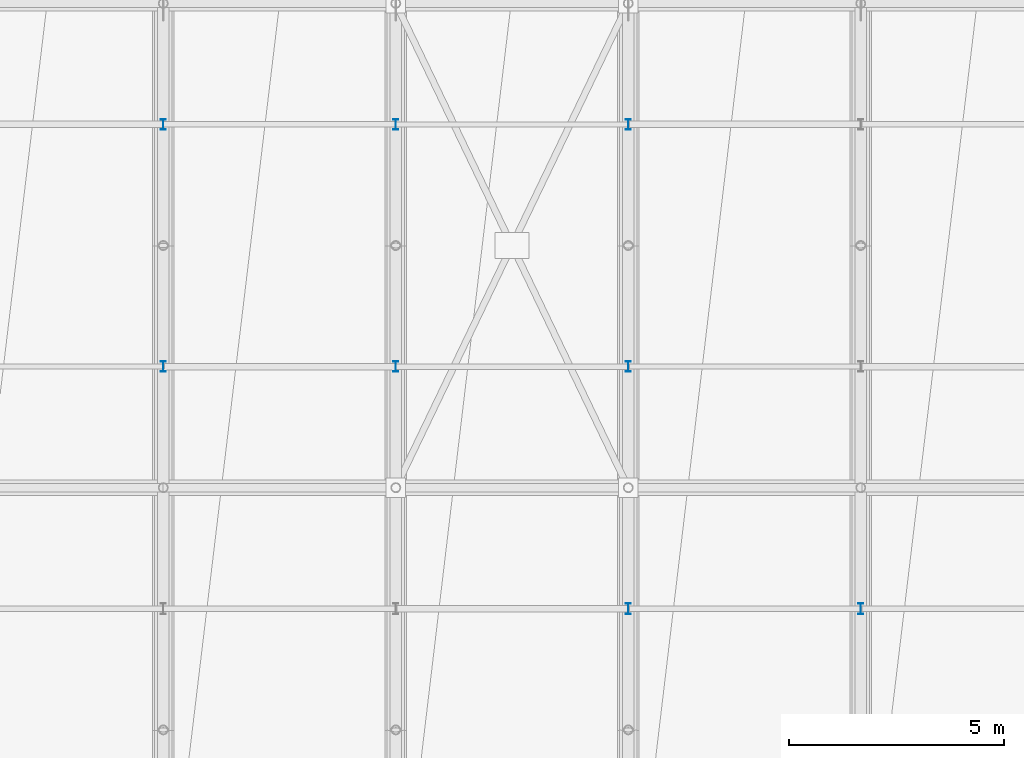
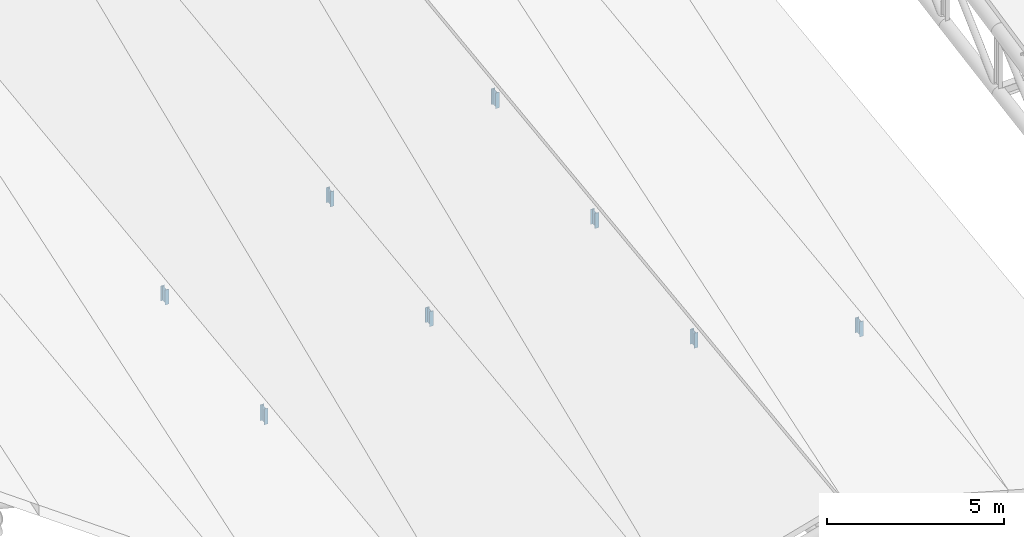
# One storey, part 79 of 109: 8 members.
"""IFC4 building model written with IfcOpenShell, lengths in metres."""

from ifc_helpers import new_model, si_unit, direction, frame, origin, origin_2d, place, context, subcontext, project, spatial, i_section, extrude, material, material_profile, profile_set, type_object, element, save


model = new_model("IFC4")

# Units and contexts
model_context = context("Model", 3, precision=1e-05, world=origin(), true_north=direction((0.0, 1.0)))
body_context = subcontext(model_context, "Body", "Model", "MODEL_VIEW")
ifc_project = project(units=[si_unit("LENGTHUNIT", "METRE"), si_unit("AREAUNIT", "SQUARE_METRE"), si_unit("VOLUMEUNIT", "CUBIC_METRE"), si_unit("PLANEANGLEUNIT", "RADIAN"), si_unit("MASSUNIT", "GRAM", prefix="KILO")], contexts=[model_context])

# Site, building, storey
site_placement = place(None, origin())
site = spatial("IfcSite", under=ifc_project, at=site_placement, CompositionType="ELEMENT")
building_placement = place(site_placement, origin())
building = spatial("IfcBuilding", under=site, at=building_placement, Name="Suirenkawa Promenade Aquatics Centre", CompositionType="ELEMENT")
storey_placement = place(building_placement, frame((0.0, 0.0, 22.800048828125)))
storey = spatial("IfcBuildingStorey", under=building, at=storey_placement, Name="ROOF", CompositionType="ELEMENT", Elevation=22.800048828125)

# Members
ifc_material = material(Name="Steel IS 2062 E350 (Grade 350)", Category="steel")
ifc_material_profile = material_profile(ifc_material, i_section(OverallWidth=0.125, OverallDepth=0.25, WebThickness=0.007080078125, FlangeThickness=0.012939453125, at=origin_2d()), Name="ISMB 250", Category="steel")
ifc_profile_set = profile_set([ifc_material_profile], Name="Steel IS 2062 E350 (Grade 350)")
member_type = type_object("IfcMemberType", Name="MT-WEB-CHS168", PredefinedType="BRACE", material=ifc_profile_set)
member_1_placement = place(storey_placement, frame((133.199951171875, 64.462890625, -13.406982421875), z_axis=(0.0, 0.0, 1.0), x_axis=(1.0, 0.0, 0.0)))
element("IfcMember", 1, at=member_1_placement, inside=storey, type_object=member_type, Name="ROOF TRUSS Purlin cleat post TD-03 MB-2234", PredefinedType="BRACE", context=body_context, shape_type="SweptSolid", body=[
    extrude(i_section(OverallWidth=0.125, OverallDepth=0.25, WebThickness=0.007080078125, FlangeThickness=0.012939453125, at=origin_2d()), origin(), (0.0, 0.0, 1.0), 0.5458984375),
])
for number, where, z_axis, x_axis, name in (
    (2, (133.199951171875, 70.087890625, -12.68212890625), (0.0, 0.0, 1.0), (1.0, 0.0, 0.0), "ROOF TRUSS Purlin cleat post TD-03 MB-2236"),
    (3, (138.60009765625, 64.462890625, -11.906982421875), (0.0, 0.0, 1.0), (1.0, 0.0, 0.0), "ROOF TRUSS Purlin cleat post TD-03 MB-2270"),
):
    element("IfcMember", number, at=place(storey_placement, frame(where, z_axis=z_axis, x_axis=x_axis)), inside=storey, type_object=member_type, Name=name, PredefinedType="BRACE", context=body_context, shape_type="SweptSolid", body=[
        extrude(i_section(OverallWidth=0.125, OverallDepth=0.25, WebThickness=0.007080078125, FlangeThickness=0.012939453125, at=origin_2d()), origin(), (0.0, 0.0, 1.0), 0.51904296875),
    ])
member_2_placement = place(storey_placement, frame((138.60009765625, 70.087890625, -11.18212890625), z_axis=(0.0, 0.0, 1.0), x_axis=(1.0, 0.0, 0.0)))
element("IfcMember", 4, at=member_2_placement, inside=storey, type_object=member_type, Name="ROOF TRUSS Purlin cleat post TD-03 MB-2272", PredefinedType="BRACE", context=body_context, shape_type="SweptSolid", body=[
    extrude(i_section(OverallWidth=0.125, OverallDepth=0.25, WebThickness=0.007080078125, FlangeThickness=0.012939453125, at=origin_2d()), origin(), (0.0, 0.0, 1.0), 0.52099609375),
])
member_3_placement = place(storey_placement, frame((144.0, 58.8369140625, -11.133056640625), z_axis=(0.0, 0.0, 1.0), x_axis=(1.0, 0.0, 0.0)))
element("IfcMember", 5, at=member_3_placement, inside=storey, type_object=member_type, Name="ROOF TRUSS Purlin cleat post TD-03 MB-2304", PredefinedType="BRACE", context=body_context, shape_type="SweptSolid", body=[
    extrude(i_section(OverallWidth=0.125, OverallDepth=0.25, WebThickness=0.007080078125, FlangeThickness=0.012939453125, at=origin_2d()), origin(), (0.0, 0.0, 1.0), 0.52001953125),
])
member_4_placement = place(storey_placement, frame((144.0, 64.462890625, -10.406982421875), z_axis=(0.0, 0.0, 1.0), x_axis=(1.0, 0.0, 0.0)))
element("IfcMember", 6, at=member_4_placement, inside=storey, type_object=member_type, Name="ROOF TRUSS Purlin cleat post TD-03 MB-2306", PredefinedType="BRACE", context=body_context, shape_type="SweptSolid", body=[
    extrude(i_section(OverallWidth=0.125, OverallDepth=0.25, WebThickness=0.007080078125, FlangeThickness=0.012939453125, at=origin_2d()), origin(), (0.0, 0.0, 1.0), 0.52099609375),
])
member_5_placement = place(storey_placement, frame((144.0, 70.087890625, -9.68212890625), z_axis=(0.0, 0.0, 1.0), x_axis=(1.0, 0.0, 0.0)))
element("IfcMember", 7, at=member_5_placement, inside=storey, type_object=member_type, Name="ROOF TRUSS Purlin cleat post TD-03 MB-2308", PredefinedType="BRACE", context=body_context, shape_type="SweptSolid", body=[
    extrude(i_section(OverallWidth=0.125, OverallDepth=0.25, WebThickness=0.007080078125, FlangeThickness=0.012939453125, at=origin_2d()), origin(), (0.0, 0.0, 1.0), 0.546142578125),
])
member_6_placement = place(storey_placement, frame((149.39990234375, 58.8369140625, -12.633056640625), z_axis=(0.0, 0.0, 1.0), x_axis=(1.0, 0.0, 0.0)))
element("IfcMember", 8, at=member_6_placement, inside=storey, type_object=member_type, Name="ROOF TRUSS Purlin cleat post TD-03 MB-2340", PredefinedType="BRACE", context=body_context, shape_type="SweptSolid", body=[
    extrude(i_section(OverallWidth=0.125, OverallDepth=0.25, WebThickness=0.007080078125, FlangeThickness=0.012939453125, at=origin_2d()), origin(), (0.0, 0.0, 1.0), 0.52099609375),
])

save(model, "model.ifc")
